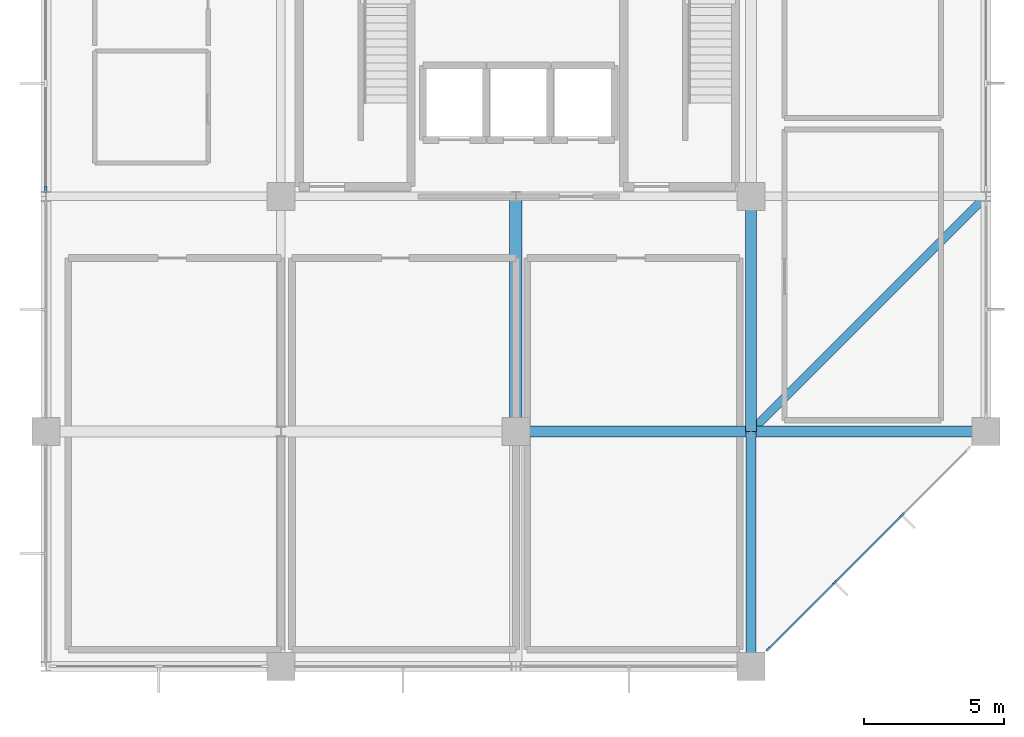
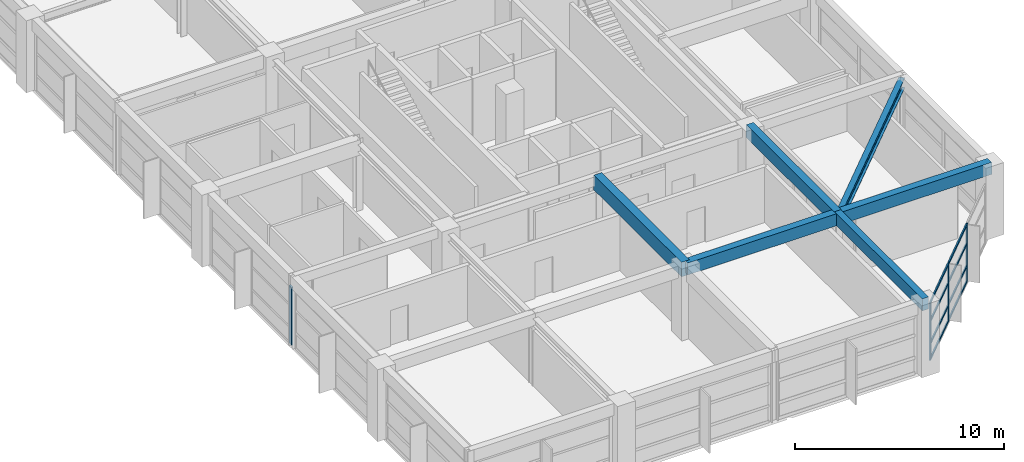
# One storey, part 4 of 15: 12 members, 6 beams, 2 elements without a shape of their own.
"""IFC4 building model written with IfcOpenShell, lengths in metres."""

from ifc_helpers import new_model, si_unit, direction, frame, origin, origin_2d, place, context, subcontext, project, spatial, rectangle, i_section, extrude, material, material_profile, profile_set, type_object, element, aggregate, save


model = new_model("IFC4")

# Units and contexts
model_context = context("Model", 3, precision=1e-05, world=origin(), true_north=direction((0.0, 1.0)))
body_context = subcontext(model_context, "Body", "Model", "MODEL_VIEW")
ifc_project = project(units=[si_unit("LENGTHUNIT", "METRE"), si_unit("AREAUNIT", "SQUARE_METRE"), si_unit("VOLUMEUNIT", "CUBIC_METRE"), si_unit("PLANEANGLEUNIT", "RADIAN"), si_unit("MASSUNIT", "GRAM", prefix="KILO")], contexts=[model_context])

# Site, building, storey
site_placement = place(None, origin())
site = spatial("IfcSite", under=ifc_project, at=site_placement, CompositionType="ELEMENT")
building_placement = place(site_placement, origin())
building = spatial("IfcBuilding", under=site, at=building_placement, Name="Xuanlan Plaza Opera House", CompositionType="ELEMENT")
storey_placement = place(building_placement, frame((0.0, 0.0, 53.10009765625)))
storey = spatial("IfcBuildingStorey", under=building, at=storey_placement, Name="L12", CompositionType="ELEMENT", Elevation=53.10009765625)

# Curtain wall, members
ifc_material_1 = material(Name="Anodised Aluminium 6063-T6 and Low-E Glass", Category="aluminium")
curtain_wall_type = type_object("IfcCurtainWallType", Name="ENV-CW-CW-02", PredefinedType="USERDEFINED", material=ifc_material_1)
curtain_wall_1_placement = place(storey_placement, origin())
curtain_wall_1 = element("IfcCurtainWall", 1, at=curtain_wall_1_placement, inside=storey, type_object=curtain_wall_type, Name="Unitised Curtain Wall L12-004", ObjectType="UNITISED CURTAIN WALL", PredefinedType="USERDEFINED")
ifc_material_2 = material(Name="Anodised Aluminium 6063-T6", Category="aluminium")
ifc_material_profile_1 = material_profile(ifc_material_2, rectangle(XDim=0.074951171875, YDim=0.199951171875, at=origin_2d()), Name="ALU-M 75x200")
ifc_profile_set_1 = profile_set([ifc_material_profile_1], Name="Anodised Aluminium 6063-T6")
member_type_1 = type_object("IfcMemberType", Name="ENV-CWM-03", PredefinedType="MULLION", material=ifc_profile_set_1)
member_1_placement = place(storey_placement, frame((151.825439453125, 34.2255859375, 0.0), z_axis=(0.0, 0.0, 1.0), x_axis=(-0.707106781187, 0.707106781187, 0.0)))
member_1 = element("IfcMember", 2, at=member_1_placement, type_object=member_type_1, Name="CW-02 mullion 1", PredefinedType="MULLION", context=body_context, shape_type="SweptSolid", body=[
    extrude(rectangle(XDim=0.074951171875, YDim=0.199951171875, at=origin_2d()), origin(), (0.0, 0.0, 1.0), 3.3798828125),
])
member_2_placement = place(storey_placement, frame((154.19970703125, 36.599609375, 0.0), z_axis=(0.0, 0.0, 1.0), x_axis=(-0.707106781187, 0.707106781187, 0.0)))
member_2 = element("IfcMember", 3, at=member_2_placement, type_object=member_type_1, Name="CW-02 mullion 2", PredefinedType="MULLION", context=body_context, shape_type="SweptSolid", body=[
    extrude(rectangle(XDim=0.074951171875, YDim=0.199951171875, at=origin_2d()), origin(), (0.0, 0.0, 1.0), 3.3798828125),
])
member_3_placement = place(storey_placement, frame((156.600341796875, 39.000244140625, 0.0), z_axis=(0.0, 0.0, 1.0), x_axis=(-0.707106781187, 0.707106781187, 0.0)))
member_3 = element("IfcMember", 4, at=member_3_placement, type_object=member_type_1, Name="CW-02 mullion 3", PredefinedType="MULLION", context=body_context, shape_type="SweptSolid", body=[
    extrude(rectangle(XDim=0.074951171875, YDim=0.199951171875, at=origin_2d()), origin(), (0.0, 0.0, 1.0), 3.3798828125),
])

# Curtain wall, member
curtain_wall_2_placement = place(storey_placement, origin())
curtain_wall_2 = element("IfcCurtainWall", 5, at=curtain_wall_2_placement, inside=storey, type_object=curtain_wall_type, Name="Unitised Curtain Wall L12-016", ObjectType="UNITISED CURTAIN WALL", PredefinedType="USERDEFINED")
ifc_material_profile_2 = material_profile(ifc_material_2, rectangle(XDim=0.090087890625, YDim=0.25, at=origin_2d()), Name="ALU-M 90x250")
ifc_profile_set_2 = profile_set([ifc_material_profile_2], Name="Anodised Aluminium 6063-T6")
member_type_2 = type_object("IfcMemberType", Name="ENV-CWM-05", PredefinedType="MULLION", material=ifc_profile_set_2)
member_4_placement = place(storey_placement, frame((126.0, 50.639892578125, 0.0), z_axis=(0.0, 0.0, 1.0), x_axis=(1.0, 0.0, 0.0)))
member_4 = element("IfcMember", 6, at=member_4_placement, type_object=member_type_2, Name="CW-02 mullion 3", PredefinedType="MULLION", context=body_context, shape_type="SweptSolid", body=[
    extrude(rectangle(XDim=0.090087890625, YDim=0.25, at=origin_2d()), origin(), (0.0, 0.0, 1.0), 3.3798828125),
])
aggregate(curtain_wall_2, [member_4])

# Member
ifc_material_profile_3 = material_profile(ifc_material_2, rectangle(XDim=0.070068359375, YDim=0.135009765625, at=origin_2d()), Name="ALU-T 70x135")
ifc_profile_set_3 = profile_set([ifc_material_profile_3], Name="Anodised Aluminium 6063-T6")
member_type_3 = type_object("IfcMemberType", Name="ENV-CWT-02", PredefinedType="USERDEFINED", material=ifc_profile_set_3)
member_5_placement = place(storey_placement, frame((151.85205078125, 34.251953125, 0.034912109375), z_axis=(0.70706959342, 0.707143966997, 0.0), x_axis=(-0.707143966997, 0.70706959342, 0.0)))
member_5 = element("IfcMember", 7, at=member_5_placement, type_object=member_type_3, Name="CW-02 transom 1.1", ObjectType="TRANSOM", PredefinedType="USERDEFINED", context=body_context, shape_type="SweptSolid", body=[
    extrude(rectangle(XDim=0.070068359375, YDim=0.135009765625, at=origin_2d()), origin(), (0.0, 0.0, 1.0), 3.28271484375),
])

member_6_placement = place(storey_placement, frame((151.85205078125, 34.251953125, 0.949951171875), z_axis=(0.70706959342, 0.707143966997, 0.0), x_axis=(-0.707143966997, 0.70706959342, 0.0)))
member_6 = element("IfcMember", 8, at=member_6_placement, type_object=member_type_3, Name="CW-02 transom 1.2", ObjectType="TRANSOM", PredefinedType="USERDEFINED", context=body_context, shape_type="SweptSolid", body=[
    extrude(rectangle(XDim=0.070068359375, YDim=0.135009765625, at=origin_2d()), origin(), (0.0, 0.0, 1.0), 3.28271484375),
])

member_7_placement = place(storey_placement, frame((151.85205078125, 34.251953125, 2.25), z_axis=(0.70706959342, 0.707143966997, 0.0), x_axis=(-0.707143966997, 0.70706959342, 0.0)))
member_7 = element("IfcMember", 9, at=member_7_placement, type_object=member_type_3, Name="CW-02 transom 1.3", ObjectType="TRANSOM", PredefinedType="USERDEFINED", context=body_context, shape_type="SweptSolid", body=[
    extrude(rectangle(XDim=0.070068359375, YDim=0.135009765625, at=origin_2d()), origin(), (0.0, 0.0, 1.0), 3.28271484375),
])

member_8_placement = place(storey_placement, frame((151.85205078125, 34.251953125, 3.344970703125), z_axis=(0.70706959342, 0.707143966997, 0.0), x_axis=(-0.707143966997, 0.70706959342, 0.0)))
member_8 = element("IfcMember", 10, at=member_8_placement, type_object=member_type_3, Name="CW-02 transom 1.4", ObjectType="TRANSOM", PredefinedType="USERDEFINED", context=body_context, shape_type="SweptSolid", body=[
    extrude(rectangle(XDim=0.070068359375, YDim=0.135009765625, at=origin_2d()), origin(), (0.0, 0.0, 1.0), 3.28271484375),
])

member_9_placement = place(storey_placement, frame((154.22607421875, 36.626220703125, 0.034912109375), z_axis=(0.707106781187, 0.707106781187, 0.0), x_axis=(-0.707106781187, 0.707106781187, 0.0)))
member_9 = element("IfcMember", 11, at=member_9_placement, type_object=member_type_3, Name="CW-02 transom 2.1", ObjectType="TRANSOM", PredefinedType="USERDEFINED", context=body_context, shape_type="SweptSolid", body=[
    extrude(rectangle(XDim=0.070068359375, YDim=0.135009765625, at=origin_2d()), origin(), (0.0, 0.0, 1.0), 3.320068359375),
])

member_10_placement = place(storey_placement, frame((154.22607421875, 36.626220703125, 0.949951171875), z_axis=(0.707106781187, 0.707106781187, 0.0), x_axis=(-0.707106781187, 0.707106781187, 0.0)))
member_10 = element("IfcMember", 12, at=member_10_placement, type_object=member_type_3, Name="CW-02 transom 2.2", ObjectType="TRANSOM", PredefinedType="USERDEFINED", context=body_context, shape_type="SweptSolid", body=[
    extrude(rectangle(XDim=0.070068359375, YDim=0.135009765625, at=origin_2d()), origin(), (0.0, 0.0, 1.0), 3.320068359375),
])

member_11_placement = place(storey_placement, frame((154.22607421875, 36.626220703125, 2.25), z_axis=(0.707106781187, 0.707106781187, 0.0), x_axis=(-0.707106781187, 0.707106781187, 0.0)))
member_11 = element("IfcMember", 13, at=member_11_placement, type_object=member_type_3, Name="CW-02 transom 2.3", ObjectType="TRANSOM", PredefinedType="USERDEFINED", context=body_context, shape_type="SweptSolid", body=[
    extrude(rectangle(XDim=0.070068359375, YDim=0.135009765625, at=origin_2d()), origin(), (0.0, 0.0, 1.0), 3.320068359375),
])

member_12_placement = place(storey_placement, frame((154.22607421875, 36.626220703125, 3.344970703125), z_axis=(0.707106781187, 0.707106781187, 0.0), x_axis=(-0.707106781187, 0.707106781187, 0.0)))
member_12 = element("IfcMember", 14, at=member_12_placement, type_object=member_type_3, Name="CW-02 transom 2.4", ObjectType="TRANSOM", PredefinedType="USERDEFINED", context=body_context, shape_type="SweptSolid", body=[
    extrude(rectangle(XDim=0.070068359375, YDim=0.135009765625, at=origin_2d()), origin(), (0.0, 0.0, 1.0), 3.320068359375),
])

aggregate(curtain_wall_1, [member_1, member_2, member_3, member_5, member_6, member_7, member_8, member_9, member_10, member_11, member_12])

# Beams
ifc_material_3 = material(Name="Concrete C40", Category="concrete")
ifc_material_profile_4 = material_profile(ifc_material_3, rectangle(XDim=0.449951171875, YDim=0.85009765625, at=origin_2d()), Name="RC-BM 450x850")
ifc_profile_set_4 = profile_set([ifc_material_profile_4], Name="Concrete C40")
beam_type_1 = type_object("IfcBeamType", Name="STR-BM-B-04", PredefinedType="BEAM", material=ifc_profile_set_4)
beam_1_placement = place(storey_placement, frame((142.800048828125, 42.0, 3.77490234375), z_axis=(0.0, 1.0, 0.0), x_axis=(-1.0, 0.0, 0.0)))
element("IfcBeam", 15, at=beam_1_placement, inside=storey, type_object=beam_type_1, Name="Grid Beam Y L12 18/F-G", PredefinedType="BEAM", context=body_context, shape_type="SweptSolid", body=[
    extrude(rectangle(XDim=0.449951171875, YDim=0.85009765625, at=origin_2d()), origin(), (0.0, 0.0, 1.0), 8.39990234375),
])
ifc_material_profile_5 = material_profile(ifc_material_3, rectangle(XDim=0.39990234375, YDim=0.75, at=origin_2d()), Name="RC-BM 400x750")
ifc_profile_set_5 = profile_set([ifc_material_profile_5], Name="Concrete C40")
beam_type_2 = type_object("IfcBeamType", Name="STR-BM-B-06", PredefinedType="BEAM", material=ifc_profile_set_5)
beam_2_placement = place(storey_placement, frame((151.199951171875, 42.0, 3.824951171875), z_axis=(0.0, 1.0, 0.0), x_axis=(-1.0, 0.0, 0.0)))
element("IfcBeam", 16, at=beam_2_placement, inside=storey, type_object=beam_type_2, Name="Grid Beam Y L12 19/F-G", PredefinedType="BEAM", context=body_context, shape_type="SweptSolid", body=[
    extrude(rectangle(XDim=0.39990234375, YDim=0.75, at=origin_2d()), origin(), (0.0, 0.0, 1.0), 8.39990234375),
])
ifc_material_profile_6 = material_profile(ifc_material_3, rectangle(XDim=0.39990234375, YDim=0.699951171875, at=origin_2d()), Name="RC-BM 400x700")
ifc_profile_set_6 = profile_set([ifc_material_profile_6], Name="Concrete C40")
beam_type_3 = type_object("IfcBeamType", Name="STR-BM-B-07", PredefinedType="BEAM", material=ifc_profile_set_6)
beam_3_placement = place(storey_placement, frame((142.800048828125, 42.0, 3.849853515625), z_axis=(1.0, 0.0, 0.0), x_axis=(0.0, 1.0, 0.0)))
element("IfcBeam", 17, at=beam_3_placement, inside=storey, type_object=beam_type_3, Name="Grid Beam X L12 18-19/F", PredefinedType="BEAM", context=body_context, shape_type="SweptSolid", body=[
    extrude(rectangle(XDim=0.39990234375, YDim=0.699951171875, at=origin_2d()), origin(), (0.0, 0.0, 1.0), 8.39990234375),
])
beam_4_placement = place(storey_placement, frame((151.199951171875, 42.0, 3.849853515625), z_axis=(1.0, 0.0, 0.0), x_axis=(0.0, 1.0, 0.0)))
element("IfcBeam", 18, at=beam_4_placement, inside=storey, type_object=beam_type_3, Name="Grid Beam X L12 19-20/F", PredefinedType="BEAM", context=body_context, shape_type="SweptSolid", body=[
    extrude(rectangle(XDim=0.39990234375, YDim=0.699951171875, at=origin_2d()), origin(), (0.0, 0.0, 1.0), 8.400146484375),
])
ifc_material_profile_7 = material_profile(ifc_material_3, rectangle(XDim=0.35009765625, YDim=0.699951171875, at=origin_2d()), Name="RC-SPD 350x700")
ifc_profile_set_7 = profile_set([ifc_material_profile_7], Name="Concrete C40")
beam_type_4 = type_object("IfcBeamType", Name="STR-BM-SP-02", PredefinedType="SPANDREL", material=ifc_profile_set_7)
beam_5_placement = place(storey_placement, frame((151.199951171875, 33.60009765625, 3.849853515625), z_axis=(0.0, 1.0, 0.0), x_axis=(-1.0, 0.0, 0.0)))
element("IfcBeam", 19, at=beam_5_placement, inside=storey, type_object=beam_type_4, Name="Grid Beam Y L12 19/E-F", PredefinedType="SPANDREL", context=body_context, shape_type="SweptSolid", body=[
    extrude(rectangle(XDim=0.35009765625, YDim=0.699951171875, at=origin_2d()), origin(), (0.0, 0.0, 1.0), 8.39990234375),
])
ifc_material_4 = material(Name="Steel Q355B", Category="steel")
ifc_material_profile_8 = material_profile(ifc_material_4, i_section(OverallWidth=0.300048828125, OverallDepth=0.587890625, WebThickness=0.011962890625, FlangeThickness=0.02001953125, FilletRadius=0.02392578125, at=origin_2d()), Name="HM 588x300x12x20")
ifc_profile_set_8 = profile_set([ifc_material_profile_8], Name="Steel Q355B")
beam_type_5 = type_object("IfcBeamType", Name="STR-BM-SP-03", PredefinedType="SPANDREL", material=ifc_profile_set_8)
beam_6_placement = place(storey_placement, frame((159.60009765625, 50.39990234375, 3.660888671875), z_axis=(-0.707117056885, -0.707096505339, 0.0), x_axis=(0.707096505339, -0.707117056885, 0.0)))
element("IfcBeam", 20, at=beam_6_placement, inside=storey, type_object=beam_type_5, Name="Faceted Edge Spandrel L12 CH05", PredefinedType="SPANDREL", context=body_context, shape_type="SweptSolid", body=[
    extrude(i_section(OverallWidth=0.300048828125, OverallDepth=0.587890625, WebThickness=0.011962890625, FlangeThickness=0.02001953125, FilletRadius=0.02392578125, at=origin_2d()), origin(), (0.0, 0.0, 1.0), 11.87939453125),
])

save(model, "model.ifc")
